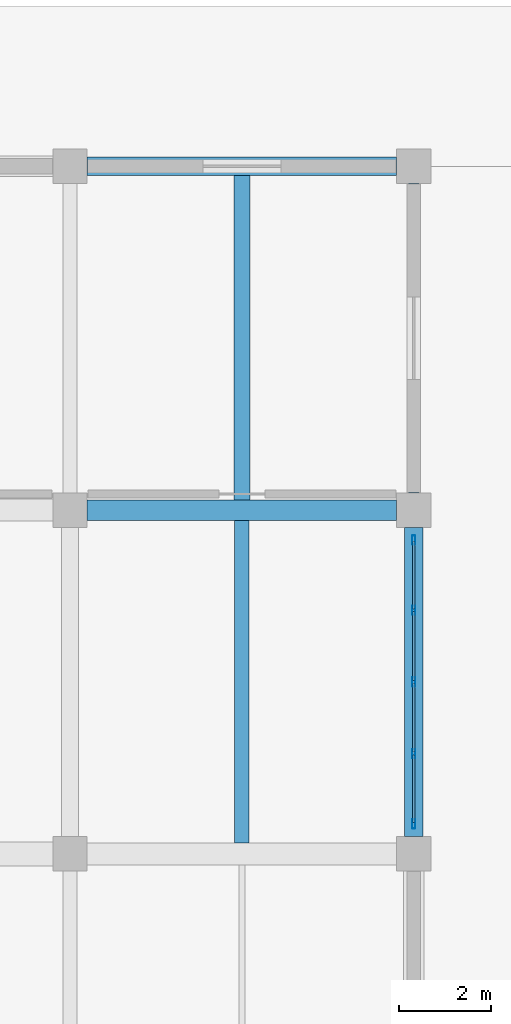
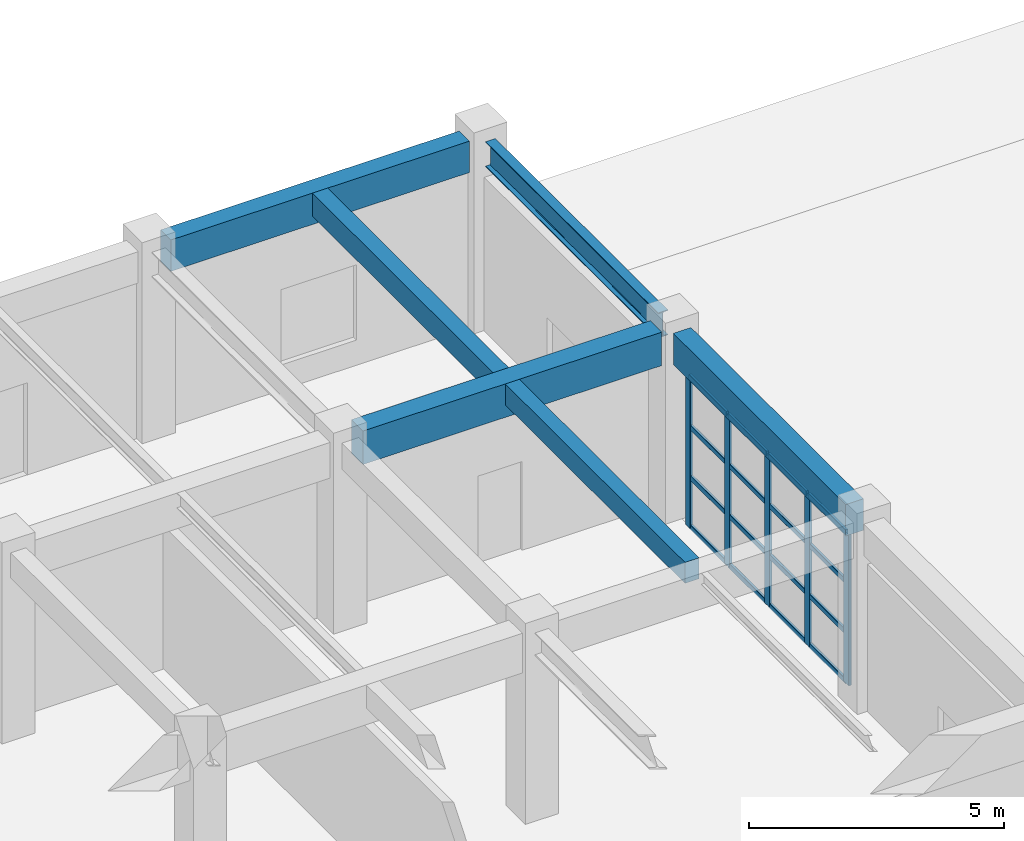
# One storey, part 42 of 122: 21 members, 6 beams, 1 element without a shape of its own.
"""IFC4 building model written with IfcOpenShell, lengths in metres."""

import ifcopenshell
import ifcopenshell.guid

model = None  # the IFC model being written
_history = None  # IfcOwnerHistory: only IFC2X3 demands one
_inside = {}  # id of a spatial element -> (the spatial element, [elements in it])
_under = {}  # id of a project, library or spatial element -> (it, [spatial elements below it])
_declared = {}  # id of a project -> (the project, [libraries it declares])
_typed = {}  # id of a type object -> (the type object, [elements of that type])
_made_of = {}  # id of a material, layer set ... -> (it, [elements and type objects made of it])


def new_model(schema):
    """Start an empty IFC model of exactly this schema.

    Asked for "IFC4X3", IfcOpenShell would pick the latest addendum, in which some entities
    have other attributes; the version numbers below select the first issue.
    IFC2X3 requires an IfcOwnerHistory on every rooted entity: one is made here for all.
    """
    global model, _history
    if schema == "IFC4X3":
        model = ifcopenshell.file(schema_version=(4, 3, 0, 0))
    else:
        model = ifcopenshell.file(schema=schema)
    _inside.clear()
    _under.clear()
    _declared.clear()
    _typed.clear()
    _made_of.clear()
    _history = None
    if model.schema == "IFC2X3":
        org = make("IfcOrganization", Name="unknown")
        user = make(
            "IfcPersonAndOrganization",
            ThePerson=make("IfcPerson", FamilyName="unknown"),
            TheOrganization=org,
        )
        app = make(
            "IfcApplication",
            ApplicationDeveloper=org,
            Version="unknown",
            ApplicationFullName="unknown",
            ApplicationIdentifier="unknown",
        )
        _history = make(
            "IfcOwnerHistory",
            OwningUser=user,
            OwningApplication=app,
            ChangeAction="ADDED",
            CreationDate=0,
        )
    return model


def make(cls, **values):
    """One entity of the class cls with the attributes given. An attribute that is None is left unset."""
    return model.create_entity(
        cls, **{name: value for name, value in values.items() if value is not None}
    )


def rooted(cls, **values):
    """An entity with a GlobalId (a new one), such as an element, a storey or a relation."""
    return make(cls, GlobalId=ifcopenshell.guid.new(), OwnerHistory=_history, **values)


def si_unit(unit_type, name, prefix=None):
    """IfcSIUnit, for example si_unit("LENGTHUNIT", "METRE", prefix="MILLI")."""
    return make("IfcSIUnit", UnitType=unit_type, Prefix=prefix, Name=name)


def assignment(units):
    """IfcUnitAssignment: the units of a project."""
    return None if units is None else make("IfcUnitAssignment", Units=units)


def point(xyz):
    """IfcCartesianPoint."""
    return None if xyz is None else make("IfcCartesianPoint", Coordinates=xyz)


def direction(xyz):
    """IfcDirection."""
    return None if xyz is None else make("IfcDirection", DirectionRatios=xyz)


def frame(location, z_axis=None, x_axis=None):
    """IfcAxis2Placement3D, a coordinate frame: its origin and axes. An axis left out is left unset."""
    return make(
        "IfcAxis2Placement3D",
        Location=point(location),
        Axis=direction(z_axis),
        RefDirection=direction(x_axis),
    )


def frame_2d(location, x_axis=None):
    """IfcAxis2Placement2D, a coordinate frame in the plane: its origin and x axis."""
    return make(
        "IfcAxis2Placement2D", Location=point(location), RefDirection=direction(x_axis)
    )


def origin():
    """The frame at (0, 0, 0) with its axes left unset."""
    return frame((0.0, 0.0, 0.0))


def origin_2d():
    """The frame at (0, 0) in the plane with its x axis left unset."""
    return frame_2d((0.0, 0.0))


def place(relative_to, where):
    """IfcLocalPlacement: puts the frame where relative to a parent placement (None: the world)."""
    return make(
        "IfcLocalPlacement", PlacementRelTo=relative_to, RelativePlacement=where
    )


def context(
    kind, dimensions, precision=None, world=None, true_north=None, identifier=None
):
    """IfcGeometricRepresentationContext, for example the 3D "Model" context."""
    return make(
        "IfcGeometricRepresentationContext",
        ContextIdentifier=identifier,
        ContextType=kind,
        CoordinateSpaceDimension=dimensions,
        Precision=precision,
        WorldCoordinateSystem=world,
        TrueNorth=true_north,
    )


def subcontext(parent, identifier, kind, view, scale=None):
    """IfcGeometricRepresentationSubContext, for example "Body" below "Model"."""
    return make(
        "IfcGeometricRepresentationSubContext",
        ContextIdentifier=identifier,
        ContextType=kind,
        ParentContext=parent,
        TargetScale=scale,
        TargetView=view,
    )


def project(units=None, contexts=None):
    """IfcProject with its units and contexts."""
    return rooted(
        "IfcProject",
        Name="project",
        RepresentationContexts=contexts,
        UnitsInContext=assignment(units),
    )


def spatial(cls, under=None, at=None, **own):
    """A site, building, storey or space (cls), placed at a placement, below another one or the project."""
    s = rooted(cls, ObjectPlacement=at, **own)
    if under is not None:
        _under.setdefault(under.id(), (under, []))[1].append(s)
    return s


def profile(cls, at=None, kind="AREA", **sizes):
    """A parametric profile (cls). Its sizes go by their IFC names, for example OverallWidth=200.0."""
    return make(cls, ProfileType=kind, Position=at, **sizes)


def rectangle(**sizes):
    """IfcRectangleProfileDef."""
    return profile("IfcRectangleProfileDef", **sizes)


def hollow_rectangle(**sizes):
    """IfcRectangleHollowProfileDef."""
    return profile("IfcRectangleHollowProfileDef", **sizes)


def i_section(**sizes):
    """IfcIShapeProfileDef."""
    return profile("IfcIShapeProfileDef", **sizes)


def extrude(swept, where, along, depth):
    """IfcExtrudedAreaSolid: the profile swept, set in the frame where, extruded along a direction by depth."""
    return make(
        "IfcExtrudedAreaSolid",
        SweptArea=swept,
        Position=where,
        ExtrudedDirection=direction(along),
        Depth=depth,
    )


def shape(context_of_items, identifier, shape_type, items):
    """IfcShapeRepresentation: the items that make up one representation, for example the "Body"."""
    return make(
        "IfcShapeRepresentation",
        ContextOfItems=context_of_items,
        RepresentationIdentifier=identifier,
        RepresentationType=shape_type,
        Items=items,
    )


def material(Name=None, Category=None):
    """IfcMaterial."""
    return make("IfcMaterial", Name=Name, Category=Category)


def material_profile(
    of_material, cross_section, Name=None, Category=None, Priority=None
):
    """IfcMaterialProfile: a cross section and its material."""
    return make(
        "IfcMaterialProfile",
        Name=Name,
        Material=of_material,
        Profile=cross_section,
        Priority=Priority,
        Category=Category,
    )


def profile_set(profiles, Name=None, composite=None):
    """IfcMaterialProfileSet."""
    return make(
        "IfcMaterialProfileSet",
        Name=Name,
        MaterialProfiles=profiles,
        CompositeProfile=composite,
    )


def made_of(thing, what):
    """Note that an element or type object is made of a material, layer set ...; save() writes the relation."""
    if what is not None:
        _made_of.setdefault(what.id(), (what, []))[1].append(thing)
    return thing


def type_object(cls, material=None, **own):
    """A type object (cls), such as IfcWallType, which elements share."""
    return made_of(rooted(cls, **own), material)


def element(
    cls,
    number,
    at=None,
    inside=None,
    cuts=None,
    type_object=None,
    material=None,
    context=None,
    identifier="Body",
    shape_type=None,
    held_by="IfcProductDefinitionShape",
    body=None,
    shapes=None,
    **own,
):
    """One element of the class cls, such as IfcWall. Its Tag is "e" and its number.

    at: its placement. inside: the storey or other place that contains it. cuts: it is an
    opening in that element (IfcRelVoidsElement). A single representation is given by context,
    identifier, shape_type and body (its items); several are given by shapes. held_by: the class
    of the entity that holds the representations. save() writes the other relations.
    """
    e = rooted(cls, Tag="e%d" % number, ObjectPlacement=at, **own)
    if body is not None:
        shapes = [shape(context, identifier, shape_type, body)]
    if shapes is not None:
        e.Representation = make(held_by, Representations=shapes)
    if inside is not None:
        _inside.setdefault(inside.id(), (inside, []))[1].append(e)
    if cuts is not None:
        rooted(
            "IfcRelVoidsElement", RelatingBuildingElement=cuts, RelatedOpeningElement=e
        )
    if type_object is not None:
        _typed.setdefault(type_object.id(), (type_object, []))[1].append(e)
    return made_of(e, material)


def aggregate(whole, parts):
    """IfcRelAggregates: a whole, such as a stair, and the parts it consists of."""
    return rooted("IfcRelAggregates", RelatingObject=whole, RelatedObjects=parts)


def save(model, path):
    """Write the relations noted so far, then the file.

    IfcRelAggregates (storeys below a building ...), IfcRelContainedInSpatialStructure (elements
    in a storey), IfcRelDefinesByType, IfcRelAssociatesMaterial and IfcRelDeclares: one each for
    every whole, place, type object, material and project.
    """
    for whole, parts in _under.values():
        aggregate(whole, parts)
    for where, things in _inside.values():
        rooted(
            "IfcRelContainedInSpatialStructure",
            RelatedElements=things,
            RelatingStructure=where,
        )
    for kind, things in _typed.values():
        rooted("IfcRelDefinesByType", RelatedObjects=things, RelatingType=kind)
    for what, things in _made_of.values():
        rooted("IfcRelAssociatesMaterial", RelatedObjects=things, RelatingMaterial=what)
    for by, libraries in _declared.values():
        rooted("IfcRelDeclares", RelatingContext=by, RelatedDefinitions=libraries)
    model.write(path)


model = new_model("IFC4")

# Units and contexts
model_context = context("Model", 3, precision=1e-05, world=origin(), true_north=direction((0.0, 1.0)))
body_context = subcontext(model_context, "Body", "Model", "MODEL_VIEW")
ifc_project = project(units=[si_unit("LENGTHUNIT", "METRE"), si_unit("AREAUNIT", "SQUARE_METRE"), si_unit("VOLUMEUNIT", "CUBIC_METRE"), si_unit("PLANEANGLEUNIT", "RADIAN"), si_unit("MASSUNIT", "GRAM", prefix="KILO")], contexts=[model_context])

# Site, building, storey
site_placement = place(None, origin())
site = spatial("IfcSite", under=ifc_project, at=site_placement, CompositionType="ELEMENT")
building_placement = place(site_placement, origin())
building = spatial("IfcBuilding", under=site, at=building_placement, Name="Qasida Concert Hall", CompositionType="ELEMENT")
storey_placement = place(building_placement, origin())
storey = spatial("IfcBuildingStorey", under=building, at=storey_placement, Name="L00", CompositionType="ELEMENT", Elevation=0.0)

# Beams
ifc_material_1 = material(Name="Concrete C40/50", Category="concrete")
ifc_material_profile_1 = material_profile(ifc_material_1, rectangle(XDim=0.449951171875, YDim=0.800048828125, at=origin_2d()), Name="RC 450x800")
ifc_profile_set_1 = profile_set([ifc_material_profile_1], Name="Concrete C40/50")
beam_type_1 = type_object("IfcBeamType", Name="BM-G2", PredefinedType="USERDEFINED", material=ifc_profile_set_1)
beam_1_placement = place(storey_placement, frame((30.375, 105.0, 4.10009765625), z_axis=(1.0, 0.0, 0.0), x_axis=(0.0, 1.0, 0.0)))
element("IfcBeam", 1, at=beam_1_placement, inside=storey, type_object=beam_type_1, Name="Primary girder 0707", ObjectType="GIRDER", PredefinedType="USERDEFINED", context=body_context, shape_type="SweptSolid", body=[
    extrude(rectangle(XDim=0.449951171875, YDim=0.800048828125, at=origin_2d()), origin(), (0.0, 0.0, 1.0), 6.75),
])
ifc_material_profile_2 = material_profile(ifc_material_1, rectangle(XDim=0.320068359375, YDim=0.5, at=origin_2d()), Name="RC 320x500")
ifc_profile_set_2 = profile_set([ifc_material_profile_2], Name="Concrete C40/50")
beam_type_2 = type_object("IfcBeamType", Name="BM-J7", PredefinedType="JOIST", material=ifc_profile_set_2)
beam_2_placement = place(storey_placement, frame((33.75, 97.739990234375, 4.25), z_axis=(0.0, 1.0, 0.0), x_axis=(-1.0, 0.0, 0.0)))
element("IfcBeam", 2, at=beam_2_placement, inside=storey, type_object=beam_type_2, Name="L00 secondary joist 0758", PredefinedType="JOIST", context=body_context, shape_type="SweptSolid", body=[
    extrude(rectangle(XDim=0.320068359375, YDim=0.5, at=origin_2d()), origin(), (0.0, 0.0, 1.0), 7.034912109375),
])
ifc_material_profile_3 = material_profile(ifc_material_1, rectangle(XDim=0.35009765625, YDim=0.550048828125, at=origin_2d()), Name="RC 350x550")
ifc_profile_set_3 = profile_set([ifc_material_profile_3], Name="Concrete C40/50")
beam_type_3 = type_object("IfcBeamType", Name="BM-J8", PredefinedType="JOIST", material=ifc_profile_set_3)
beam_3_placement = place(storey_placement, frame((33.75, 105.22509765625, 4.22509765625), z_axis=(0.0, 1.0, 0.0), x_axis=(-1.0, 0.0, 0.0)))
element("IfcBeam", 3, at=beam_3_placement, inside=storey, type_object=beam_type_3, Name="L00 secondary joist 0759", PredefinedType="JOIST", context=body_context, shape_type="SweptSolid", body=[
    extrude(rectangle(XDim=0.35009765625, YDim=0.550048828125, at=origin_2d()), origin(), (0.0, 0.0, 1.0), 7.074951171875),
])
ifc_material_profile_4 = material_profile(ifc_material_1, rectangle(XDim=0.39990234375, YDim=0.75, at=origin_2d()), Name="RC 400x750")
ifc_profile_set_4 = profile_set([ifc_material_profile_4], Name="Concrete C40/50")
beam_type_4 = type_object("IfcBeamType", Name="BM-SP1", PredefinedType="SPANDREL", material=ifc_profile_set_4)
for number, where, z_axis, x_axis, name in (
    (4, (30.375, 112.5, 4.125), (1.0, 0.0, 0.0), (0.0, 1.0, 0.0), "Primary girder 0711"),
    (5, (37.5, 97.875, 4.125), (0.0, 1.0, 0.0), (-1.0, 0.0, 0.0), "L00 girder 0735"),
):
    element("IfcBeam", number, at=place(storey_placement, frame(where, z_axis=z_axis, x_axis=x_axis)), inside=storey, type_object=beam_type_4, Name=name, PredefinedType="SPANDREL", context=body_context, shape_type="SweptSolid", body=[
        extrude(rectangle(XDim=0.39990234375, YDim=0.75, at=origin_2d()), origin(), (0.0, 0.0, 1.0), 6.75),
    ])
ifc_material_2 = material(Name="Steel S355J2", Category="steel")
ifc_material_profile_5 = material_profile(ifc_material_2, i_section(OverallWidth=0.219970703125, OverallDepth=0.60009765625, WebThickness=0.011962890625, FlangeThickness=0.01904296875, FilletRadius=0.02392578125, at=origin_2d()), Name="IPE 600")
ifc_profile_set_5 = profile_set([ifc_material_profile_5], Name="Steel S355J2")
beam_type_5 = type_object("IfcBeamType", Name="BM-SP3", PredefinedType="SPANDREL", material=ifc_profile_set_5)
beam_4_placement = place(storey_placement, frame((37.5, 105.375, 4.199951171875), z_axis=(0.0, 1.0, 0.0), x_axis=(-1.0, 0.0, 0.0)))
element("IfcBeam", 6, at=beam_4_placement, inside=storey, type_object=beam_type_5, Name="L00 girder 0736", PredefinedType="SPANDREL", context=body_context, shape_type="SweptSolid", body=[
    extrude(i_section(OverallWidth=0.219970703125, OverallDepth=0.60009765625, WebThickness=0.011962890625, FlangeThickness=0.01904296875, FilletRadius=0.02392578125, at=origin_2d()), origin(), (0.0, 0.0, 1.0), 6.75),
])

# Curtain wall, members
ifc_material_3 = material(Name="Architectural bronze-anodized aluminium and low-E glass", Category="aluminium")
curtain_wall_type = type_object("IfcCurtainWallType", Name="CW-08", PredefinedType="NOTDEFINED", material=ifc_material_3)
curtain_wall_placement = place(storey_placement, origin())
curtain_wall = element("IfcCurtainWall", 7, at=curtain_wall_placement, inside=storey, type_object=curtain_wall_type, Name="L00 curtain wall CW-08 0183", PredefinedType="NOTDEFINED")
ifc_material_4 = material(Name="Architectural bronze-anodized aluminium EN AW-6063", Category="aluminium")
ifc_material_profile_6 = material_profile(ifc_material_4, hollow_rectangle(XDim=0.06494140625, YDim=0.199951171875, WallThickness=0.0048828125, InnerFilletRadius=0.0048828125, OuterFilletRadius=0.010009765625, at=origin_2d()), Name="CWM 200x65x5")
ifc_profile_set_6 = profile_set([ifc_material_profile_6], Name="Architectural bronze-anodized aluminium EN AW-6063")
member_type_1 = type_object("IfcMemberType", Name="MB-CWM-2", PredefinedType="MULLION", material=ifc_profile_set_6)
member_1_placement = place(storey_placement, frame((37.5, 98.152587890625, 0.0), z_axis=(0.0, 0.0, 1.0), x_axis=(-1.0, 0.0, 0.0)))
member_1 = element("IfcMember", 8, at=member_1_placement, type_object=member_type_1, Name="CW-08 mullion 1", PredefinedType="MULLION", context=body_context, shape_type="SweptSolid", body=[
    extrude(hollow_rectangle(XDim=0.06494140625, YDim=0.199951171875, WallThickness=0.0048828125, InnerFilletRadius=0.0048828125, OuterFilletRadius=0.010009765625, at=origin_2d()), origin(), (0.0, 0.0, 1.0), 3.6201171875),
])
member_2_placement = place(storey_placement, frame((37.5, 99.68505859375, 0.0), z_axis=(0.0, 0.0, 1.0), x_axis=(-1.0, 0.0, 0.0)))
member_2 = element("IfcMember", 9, at=member_2_placement, type_object=member_type_1, Name="CW-08 mullion 2", PredefinedType="MULLION", context=body_context, shape_type="SweptSolid", body=[
    extrude(hollow_rectangle(XDim=0.06494140625, YDim=0.199951171875, WallThickness=0.0048828125, InnerFilletRadius=0.0048828125, OuterFilletRadius=0.010009765625, at=origin_2d()), origin(), (0.0, 0.0, 1.0), 3.6201171875),
])
member_3_placement = place(storey_placement, frame((37.5, 101.25, 0.0), z_axis=(0.0, 0.0, 1.0), x_axis=(-1.0, 0.0, 0.0)))
member_3 = element("IfcMember", 10, at=member_3_placement, type_object=member_type_1, Name="CW-08 mullion 3", PredefinedType="MULLION", context=body_context, shape_type="SweptSolid", body=[
    extrude(hollow_rectangle(XDim=0.06494140625, YDim=0.199951171875, WallThickness=0.0048828125, InnerFilletRadius=0.0048828125, OuterFilletRadius=0.010009765625, at=origin_2d()), origin(), (0.0, 0.0, 1.0), 3.6201171875),
])
member_4_placement = place(storey_placement, frame((37.5, 102.81494140625, 0.0), z_axis=(0.0, 0.0, 1.0), x_axis=(-1.0, 0.0, 0.0)))
member_4 = element("IfcMember", 11, at=member_4_placement, type_object=member_type_1, Name="CW-08 mullion 4", PredefinedType="MULLION", context=body_context, shape_type="SweptSolid", body=[
    extrude(hollow_rectangle(XDim=0.06494140625, YDim=0.199951171875, WallThickness=0.0048828125, InnerFilletRadius=0.0048828125, OuterFilletRadius=0.010009765625, at=origin_2d()), origin(), (0.0, 0.0, 1.0), 3.6201171875),
])
member_5_placement = place(storey_placement, frame((37.5, 104.347412109375, 0.0), z_axis=(0.0, 0.0, 1.0), x_axis=(-1.0, 0.0, 0.0)))
member_5 = element("IfcMember", 12, at=member_5_placement, type_object=member_type_1, Name="CW-08 mullion 5", PredefinedType="MULLION", context=body_context, shape_type="SweptSolid", body=[
    extrude(hollow_rectangle(XDim=0.06494140625, YDim=0.199951171875, WallThickness=0.0048828125, InnerFilletRadius=0.0048828125, OuterFilletRadius=0.010009765625, at=origin_2d()), origin(), (0.0, 0.0, 1.0), 3.6201171875),
])
ifc_material_profile_7 = material_profile(ifc_material_4, hollow_rectangle(XDim=0.06005859375, YDim=0.1201171875, WallThickness=0.00390625, InnerFilletRadius=0.00390625, OuterFilletRadius=0.008056640625, at=origin_2d()), Name="CWT 120x60x4")
ifc_profile_set_7 = profile_set([ifc_material_profile_7], Name="Architectural bronze-anodized aluminium EN AW-6063")
member_type_2 = type_object("IfcMemberType", Name="MB-CWT-2", PredefinedType="USERDEFINED", material=ifc_profile_set_7)
member_6_placement = place(storey_placement, frame((37.5, 98.18505859375, 0.030029296875), z_axis=(0.0, 1.0, 0.0), x_axis=(-1.0, 0.0, 0.0)))
member_6 = element("IfcMember", 13, at=member_6_placement, type_object=member_type_2, Name="CW-08 transom 1.1", ObjectType="TRANSOM", PredefinedType="USERDEFINED", context=body_context, shape_type="SweptSolid", body=[
    extrude(hollow_rectangle(XDim=0.06005859375, YDim=0.1201171875, WallThickness=0.00390625, InnerFilletRadius=0.00390625, OuterFilletRadius=0.008056640625, at=origin_2d()), origin(), (0.0, 0.0, 1.0), 1.467529296875),
])
member_7_placement = place(storey_placement, frame((37.5, 98.18505859375, 1.206787109375), z_axis=(0.0, 1.0, 0.0), x_axis=(-1.0, 0.0, 0.0)))
member_7 = element("IfcMember", 14, at=member_7_placement, type_object=member_type_2, Name="CW-08 transom 1.2", ObjectType="TRANSOM", PredefinedType="USERDEFINED", context=body_context, shape_type="SweptSolid", body=[
    extrude(hollow_rectangle(XDim=0.06005859375, YDim=0.1201171875, WallThickness=0.00390625, InnerFilletRadius=0.00390625, OuterFilletRadius=0.008056640625, at=origin_2d()), origin(), (0.0, 0.0, 1.0), 1.467529296875),
])
member_8_placement = place(storey_placement, frame((37.5, 98.18505859375, 2.413330078125), z_axis=(0.0, 1.0, 0.0), x_axis=(-1.0, 0.0, 0.0)))
member_8 = element("IfcMember", 15, at=member_8_placement, type_object=member_type_2, Name="CW-08 transom 1.3", ObjectType="TRANSOM", PredefinedType="USERDEFINED", context=body_context, shape_type="SweptSolid", body=[
    extrude(hollow_rectangle(XDim=0.06005859375, YDim=0.1201171875, WallThickness=0.00390625, InnerFilletRadius=0.00390625, OuterFilletRadius=0.008056640625, at=origin_2d()), origin(), (0.0, 0.0, 1.0), 1.467529296875),
])
member_9_placement = place(storey_placement, frame((37.5, 98.18505859375, 3.590087890625), z_axis=(0.0, 1.0, 0.0), x_axis=(-1.0, 0.0, 0.0)))
member_9 = element("IfcMember", 16, at=member_9_placement, type_object=member_type_2, Name="CW-08 transom 1.4", ObjectType="TRANSOM", PredefinedType="USERDEFINED", context=body_context, shape_type="SweptSolid", body=[
    extrude(hollow_rectangle(XDim=0.06005859375, YDim=0.1201171875, WallThickness=0.00390625, InnerFilletRadius=0.00390625, OuterFilletRadius=0.008056640625, at=origin_2d()), origin(), (0.0, 0.0, 1.0), 1.467529296875),
])
member_10_placement = place(storey_placement, frame((37.5, 99.717529296875, 0.030029296875), z_axis=(0.0, 1.0, 0.0), x_axis=(-1.0, 0.0, 0.0)))
member_10 = element("IfcMember", 17, at=member_10_placement, type_object=member_type_2, Name="CW-08 transom 2.1", ObjectType="TRANSOM", PredefinedType="USERDEFINED", context=body_context, shape_type="SweptSolid", body=[
    extrude(hollow_rectangle(XDim=0.06005859375, YDim=0.1201171875, WallThickness=0.00390625, InnerFilletRadius=0.00390625, OuterFilletRadius=0.008056640625, at=origin_2d()), origin(), (0.0, 0.0, 1.0), 1.5),
])
member_11_placement = place(storey_placement, frame((37.5, 99.717529296875, 1.206787109375), z_axis=(0.0, 1.0, 0.0), x_axis=(-1.0, 0.0, 0.0)))
member_11 = element("IfcMember", 18, at=member_11_placement, type_object=member_type_2, Name="CW-08 transom 2.2", ObjectType="TRANSOM", PredefinedType="USERDEFINED", context=body_context, shape_type="SweptSolid", body=[
    extrude(hollow_rectangle(XDim=0.06005859375, YDim=0.1201171875, WallThickness=0.00390625, InnerFilletRadius=0.00390625, OuterFilletRadius=0.008056640625, at=origin_2d()), origin(), (0.0, 0.0, 1.0), 1.5),
])
member_12_placement = place(storey_placement, frame((37.5, 99.717529296875, 2.413330078125), z_axis=(0.0, 1.0, 0.0), x_axis=(-1.0, 0.0, 0.0)))
member_12 = element("IfcMember", 19, at=member_12_placement, type_object=member_type_2, Name="CW-08 transom 2.3", ObjectType="TRANSOM", PredefinedType="USERDEFINED", context=body_context, shape_type="SweptSolid", body=[
    extrude(hollow_rectangle(XDim=0.06005859375, YDim=0.1201171875, WallThickness=0.00390625, InnerFilletRadius=0.00390625, OuterFilletRadius=0.008056640625, at=origin_2d()), origin(), (0.0, 0.0, 1.0), 1.5),
])
member_13_placement = place(storey_placement, frame((37.5, 99.717529296875, 3.590087890625), z_axis=(0.0, 1.0, 0.0), x_axis=(-1.0, 0.0, 0.0)))
member_13 = element("IfcMember", 20, at=member_13_placement, type_object=member_type_2, Name="CW-08 transom 2.4", ObjectType="TRANSOM", PredefinedType="USERDEFINED", context=body_context, shape_type="SweptSolid", body=[
    extrude(hollow_rectangle(XDim=0.06005859375, YDim=0.1201171875, WallThickness=0.00390625, InnerFilletRadius=0.00390625, OuterFilletRadius=0.008056640625, at=origin_2d()), origin(), (0.0, 0.0, 1.0), 1.5),
])
member_14_placement = place(storey_placement, frame((37.5, 101.282470703125, 0.030029296875), z_axis=(0.0, 1.0, 0.0), x_axis=(-1.0, 0.0, 0.0)))
member_14 = element("IfcMember", 21, at=member_14_placement, type_object=member_type_2, Name="CW-08 transom 3.1", ObjectType="TRANSOM", PredefinedType="USERDEFINED", context=body_context, shape_type="SweptSolid", body=[
    extrude(hollow_rectangle(XDim=0.06005859375, YDim=0.1201171875, WallThickness=0.00390625, InnerFilletRadius=0.00390625, OuterFilletRadius=0.008056640625, at=origin_2d()), origin(), (0.0, 0.0, 1.0), 1.5),
])
member_15_placement = place(storey_placement, frame((37.5, 101.282470703125, 1.206787109375), z_axis=(0.0, 1.0, 0.0), x_axis=(-1.0, 0.0, 0.0)))
member_15 = element("IfcMember", 22, at=member_15_placement, type_object=member_type_2, Name="CW-08 transom 3.2", ObjectType="TRANSOM", PredefinedType="USERDEFINED", context=body_context, shape_type="SweptSolid", body=[
    extrude(hollow_rectangle(XDim=0.06005859375, YDim=0.1201171875, WallThickness=0.00390625, InnerFilletRadius=0.00390625, OuterFilletRadius=0.008056640625, at=origin_2d()), origin(), (0.0, 0.0, 1.0), 1.5),
])
member_16_placement = place(storey_placement, frame((37.5, 101.282470703125, 2.413330078125), z_axis=(0.0, 1.0, 0.0), x_axis=(-1.0, 0.0, 0.0)))
member_16 = element("IfcMember", 23, at=member_16_placement, type_object=member_type_2, Name="CW-08 transom 3.3", ObjectType="TRANSOM", PredefinedType="USERDEFINED", context=body_context, shape_type="SweptSolid", body=[
    extrude(hollow_rectangle(XDim=0.06005859375, YDim=0.1201171875, WallThickness=0.00390625, InnerFilletRadius=0.00390625, OuterFilletRadius=0.008056640625, at=origin_2d()), origin(), (0.0, 0.0, 1.0), 1.5),
])
member_17_placement = place(storey_placement, frame((37.5, 101.282470703125, 3.590087890625), z_axis=(0.0, 1.0, 0.0), x_axis=(-1.0, 0.0, 0.0)))
member_17 = element("IfcMember", 24, at=member_17_placement, type_object=member_type_2, Name="CW-08 transom 3.4", ObjectType="TRANSOM", PredefinedType="USERDEFINED", context=body_context, shape_type="SweptSolid", body=[
    extrude(hollow_rectangle(XDim=0.06005859375, YDim=0.1201171875, WallThickness=0.00390625, InnerFilletRadius=0.00390625, OuterFilletRadius=0.008056640625, at=origin_2d()), origin(), (0.0, 0.0, 1.0), 1.5),
])
member_18_placement = place(storey_placement, frame((37.5, 102.847412109375, 0.030029296875), z_axis=(0.0, 1.0, 0.0), x_axis=(-1.0, 0.0, 0.0)))
member_18 = element("IfcMember", 25, at=member_18_placement, type_object=member_type_2, Name="CW-08 transom 4.1", ObjectType="TRANSOM", PredefinedType="USERDEFINED", context=body_context, shape_type="SweptSolid", body=[
    extrude(hollow_rectangle(XDim=0.06005859375, YDim=0.1201171875, WallThickness=0.00390625, InnerFilletRadius=0.00390625, OuterFilletRadius=0.008056640625, at=origin_2d()), origin(), (0.0, 0.0, 1.0), 1.467529296875),
])
member_19_placement = place(storey_placement, frame((37.5, 102.847412109375, 1.206787109375), z_axis=(0.0, 1.0, 0.0), x_axis=(-1.0, 0.0, 0.0)))
member_19 = element("IfcMember", 26, at=member_19_placement, type_object=member_type_2, Name="CW-08 transom 4.2", ObjectType="TRANSOM", PredefinedType="USERDEFINED", context=body_context, shape_type="SweptSolid", body=[
    extrude(hollow_rectangle(XDim=0.06005859375, YDim=0.1201171875, WallThickness=0.00390625, InnerFilletRadius=0.00390625, OuterFilletRadius=0.008056640625, at=origin_2d()), origin(), (0.0, 0.0, 1.0), 1.467529296875),
])
member_20_placement = place(storey_placement, frame((37.5, 102.847412109375, 2.413330078125), z_axis=(0.0, 1.0, 0.0), x_axis=(-1.0, 0.0, 0.0)))
member_20 = element("IfcMember", 27, at=member_20_placement, type_object=member_type_2, Name="CW-08 transom 4.3", ObjectType="TRANSOM", PredefinedType="USERDEFINED", context=body_context, shape_type="SweptSolid", body=[
    extrude(hollow_rectangle(XDim=0.06005859375, YDim=0.1201171875, WallThickness=0.00390625, InnerFilletRadius=0.00390625, OuterFilletRadius=0.008056640625, at=origin_2d()), origin(), (0.0, 0.0, 1.0), 1.467529296875),
])
member_21_placement = place(storey_placement, frame((37.5, 102.847412109375, 3.590087890625), z_axis=(0.0, 1.0, 0.0), x_axis=(-1.0, 0.0, 0.0)))
member_21 = element("IfcMember", 28, at=member_21_placement, type_object=member_type_2, Name="CW-08 transom 4.4", ObjectType="TRANSOM", PredefinedType="USERDEFINED", context=body_context, shape_type="SweptSolid", body=[
    extrude(hollow_rectangle(XDim=0.06005859375, YDim=0.1201171875, WallThickness=0.00390625, InnerFilletRadius=0.00390625, OuterFilletRadius=0.008056640625, at=origin_2d()), origin(), (0.0, 0.0, 1.0), 1.467529296875),
])
aggregate(curtain_wall, [member_1, member_2, member_3, member_4, member_5, member_6, member_7, member_8, member_9, member_10, member_11, member_12, member_13, member_14, member_15, member_16, member_17, member_18, member_19, member_20, member_21])

save(model, "model.ifc")
